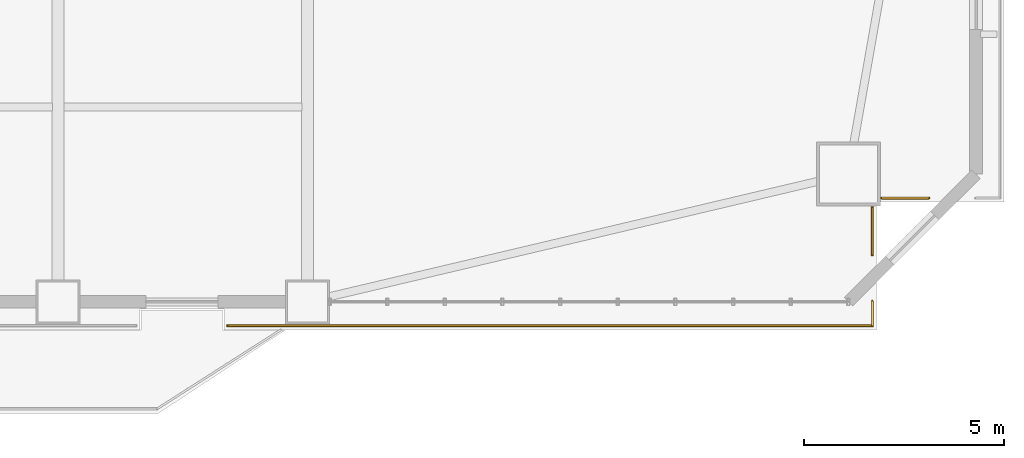
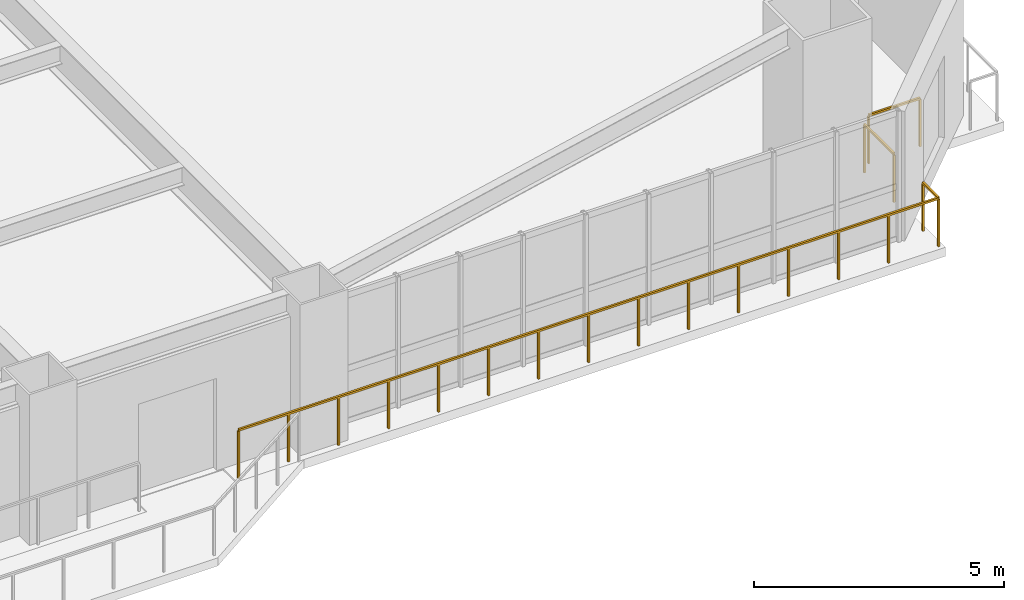
# One storey, part 14 of 17: 4 railings.
"""IFC4 building model written with IfcOpenShell, lengths in metres."""

from ifc_helpers import new_model, si_unit, direction, frame, origin, origin_2d, place, context, subcontext, project, spatial, rectangle, extrude, material, type_object, element, save


model = new_model("IFC4")

# Units and contexts
model_context = context("Model", 3, precision=1e-05, world=origin(), true_north=direction((0.0, 1.0)))
body_context = subcontext(model_context, "Body", "Model", "MODEL_VIEW")
ifc_project = project(units=[si_unit("LENGTHUNIT", "METRE"), si_unit("AREAUNIT", "SQUARE_METRE"), si_unit("VOLUMEUNIT", "CUBIC_METRE"), si_unit("PLANEANGLEUNIT", "RADIAN"), si_unit("MASSUNIT", "GRAM", prefix="KILO")], contexts=[model_context])

# Site, building, storey
site_placement = place(None, origin())
site = spatial("IfcSite", under=ifc_project, at=site_placement, CompositionType="ELEMENT")
building_placement = place(site_placement, origin())
building = spatial("IfcBuilding", under=site, at=building_placement, Name="Giltprow Tower", CompositionType="ELEMENT")
storey_placement = place(building_placement, frame((0.0, 0.0, 29.300048828125)))
storey = spatial("IfcBuildingStorey", under=building, at=storey_placement, Name="L07", CompositionType="ELEMENT", Elevation=29.300048828125)

# Railings
ifc_material = material(Name="Anodized bronze", Category="metal")
railing_type = type_object("IfcRailingType", Name="RAIL-BALC-GUARD-1200", PredefinedType="BALUSTRADE", material=ifc_material)
railing_1_placement = place(storey_placement, frame((66.1201171875, 5.89990234375, 0.0)))
element("IfcRailing", 1, at=railing_1_placement, inside=storey, type_object=railing_type, Name="L07 Corner Apron Edge Balustrade 16", PredefinedType="BALUSTRADE", context=body_context, shape_type="SweptSolid", body=[
    extrude(rectangle(XDim=0.048095703125, YDim=0.048095703125, at=origin_2d()), frame((0.0, 0.0, 1.17578125), z_axis=(-1.0, 0.0, 0.0), x_axis=(0.0, -1.0, 0.0)), (0.0, 0.0, 1.0), 1.18505859375),
    extrude(rectangle(XDim=0.0419921875, YDim=0.0419921875, at=origin_2d()), origin(), (0.0, 0.0, 1.0), 1.15185546875),
    extrude(rectangle(XDim=0.0419921875, YDim=0.0419921875, at=origin_2d()), frame((-1.18505859375, 0.0, 0.0)), (0.0, 0.0, 1.0), 1.15185546875),
])
railing_2_placement = place(storey_placement, frame((64.699951171875, 5.6650390625, 0.0)))
element("IfcRailing", 2, at=railing_2_placement, inside=storey, type_object=railing_type, Name="L07 Corner Apron Edge Balustrade 17", PredefinedType="BALUSTRADE", context=body_context, shape_type="SweptSolid", body=[
    extrude(rectangle(XDim=0.048095703125, YDim=0.048095703125, at=origin_2d()), frame((0.0, 0.0, 1.17578125), z_axis=(0.0, -1.0, 0.0), x_axis=(1.0, 0.0, 0.0)), (0.0, 0.0, 1.0), 1.18505859375),
    extrude(rectangle(XDim=0.0419921875, YDim=0.0419921875, at=origin_2d()), origin(), (0.0, 0.0, 1.0), 1.15185546875),
    extrude(rectangle(XDim=0.0419921875, YDim=0.0419921875, at=origin_2d()), frame((0.0, -1.18505859375, 0.0)), (0.0, 0.0, 1.0), 1.15185546875),
])
railing_3_placement = place(storey_placement, frame((64.699951171875, 3.320068359375, 0.0)))
element("IfcRailing", 3, at=railing_3_placement, inside=storey, type_object=railing_type, Name="L07 Corner Apron Edge Balustrade 18", PredefinedType="BALUSTRADE", context=body_context, shape_type="SweptSolid", body=[
    extrude(rectangle(XDim=0.048095703125, YDim=0.048095703125, at=origin_2d()), frame((0.0, 0.0, 1.17578125), z_axis=(0.0, -1.0, 0.0), x_axis=(1.0, 0.0, 0.0)), (0.0, 0.0, 1.0), 0.6201171875),
    extrude(rectangle(XDim=0.0419921875, YDim=0.0419921875, at=origin_2d()), origin(), (0.0, 0.0, 1.0), 1.15185546875),
    extrude(rectangle(XDim=0.0419921875, YDim=0.0419921875, at=origin_2d()), frame((0.0, -0.6201171875, 0.0)), (0.0, 0.0, 1.0), 1.15185546875),
])
railing_4_placement = place(storey_placement, frame((64.699951171875, 2.699951171875, 0.0)))
element("IfcRailing", 4, at=railing_4_placement, inside=storey, type_object=railing_type, Name="L07 Corner Apron Edge Balustrade 19", PredefinedType="BALUSTRADE", context=body_context, shape_type="SweptSolid", body=[
    extrude(rectangle(XDim=0.048095703125, YDim=0.048095703125, at=origin_2d()), frame((0.0, 0.0, 1.17578125), z_axis=(-1.0, 0.0, 0.0), x_axis=(0.0, -1.0, 0.0)), (0.0, 0.0, 1.0), 16.14990234375),
    extrude(rectangle(XDim=0.0419921875, YDim=0.0419921875, at=origin_2d()), origin(), (0.0, 0.0, 1.0), 1.15185546875),
    extrude(rectangle(XDim=0.0419921875, YDim=0.0419921875, at=origin_2d()), frame((-1.153564453125, 0.0, 0.0)), (0.0, 0.0, 1.0), 1.15185546875),
    extrude(rectangle(XDim=0.0419921875, YDim=0.0419921875, at=origin_2d()), frame((-2.30712890625, 0.0, 0.0)), (0.0, 0.0, 1.0), 1.15185546875),
    extrude(rectangle(XDim=0.0419921875, YDim=0.0419921875, at=origin_2d()), frame((-3.460693359375, 0.0, 0.0)), (0.0, 0.0, 1.0), 1.15185546875),
    extrude(rectangle(XDim=0.0419921875, YDim=0.0419921875, at=origin_2d()), frame((-4.6142578125, 0.0, 0.0)), (0.0, 0.0, 1.0), 1.15185546875),
    extrude(rectangle(XDim=0.0419921875, YDim=0.0419921875, at=origin_2d()), frame((-5.767822265625, 0.0, 0.0)), (0.0, 0.0, 1.0), 1.15185546875),
    extrude(rectangle(XDim=0.0419921875, YDim=0.0419921875, at=origin_2d()), frame((-6.92138671875, 0.0, 0.0)), (0.0, 0.0, 1.0), 1.15185546875),
    extrude(rectangle(XDim=0.0419921875, YDim=0.0419921875, at=origin_2d()), frame((-8.074951171875, 0.0, 0.0)), (0.0, 0.0, 1.0), 1.15185546875),
    extrude(rectangle(XDim=0.0419921875, YDim=0.0419921875, at=origin_2d()), frame((-9.228515625, 0.0, 0.0)), (0.0, 0.0, 1.0), 1.15185546875),
    extrude(rectangle(XDim=0.0419921875, YDim=0.0419921875, at=origin_2d()), frame((-10.382080078125, 0.0, 0.0)), (0.0, 0.0, 1.0), 1.15185546875),
    extrude(rectangle(XDim=0.0419921875, YDim=0.0419921875, at=origin_2d()), frame((-11.53564453125, 0.0, 0.0)), (0.0, 0.0, 1.0), 1.15185546875),
    extrude(rectangle(XDim=0.0419921875, YDim=0.0419921875, at=origin_2d()), frame((-12.689208984375, 0.0, 0.0)), (0.0, 0.0, 1.0), 1.15185546875),
    extrude(rectangle(XDim=0.0419921875, YDim=0.0419921875, at=origin_2d()), frame((-13.8427734375, 0.0, 0.0)), (0.0, 0.0, 1.0), 1.15185546875),
    extrude(rectangle(XDim=0.0419921875, YDim=0.0419921875, at=origin_2d()), frame((-14.996337890625, 0.0, 0.0)), (0.0, 0.0, 1.0), 1.15185546875),
    extrude(rectangle(XDim=0.0419921875, YDim=0.0419921875, at=origin_2d()), frame((-16.14990234375, 0.0, 0.0)), (0.0, 0.0, 1.0), 1.15185546875),
])

save(model, "model.ifc")
